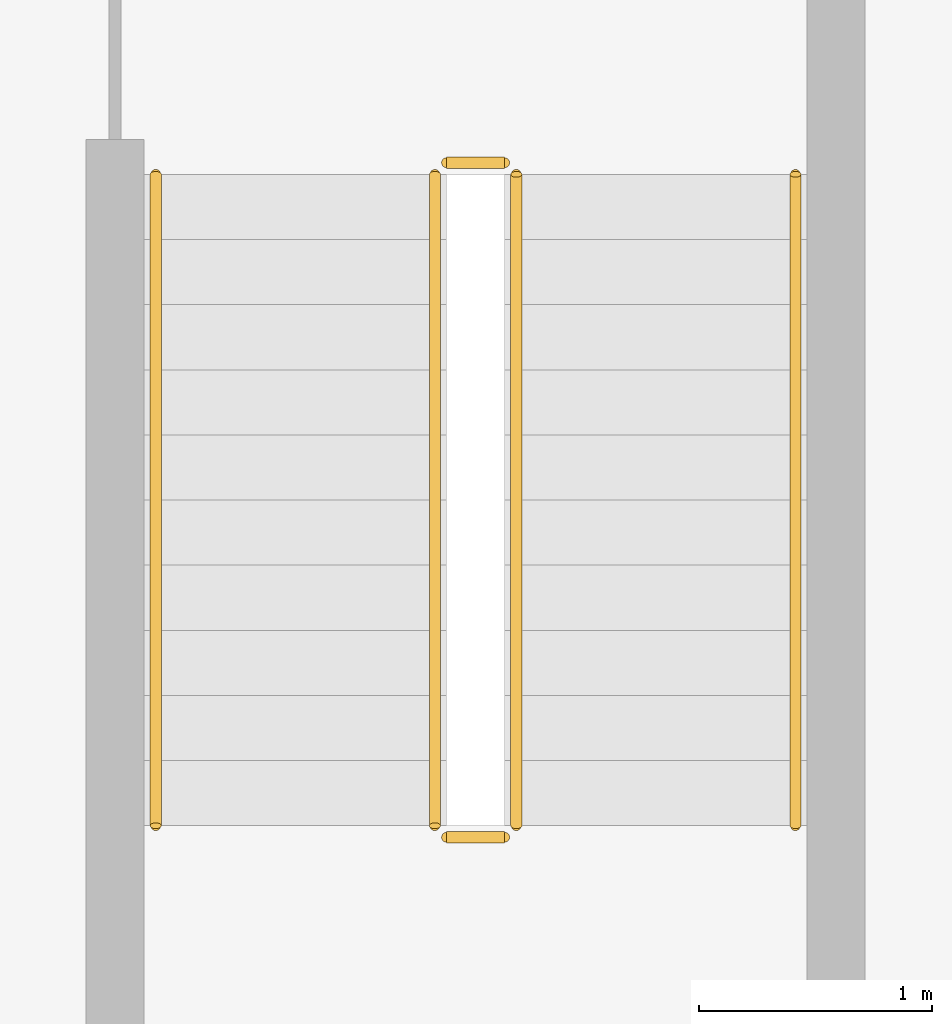
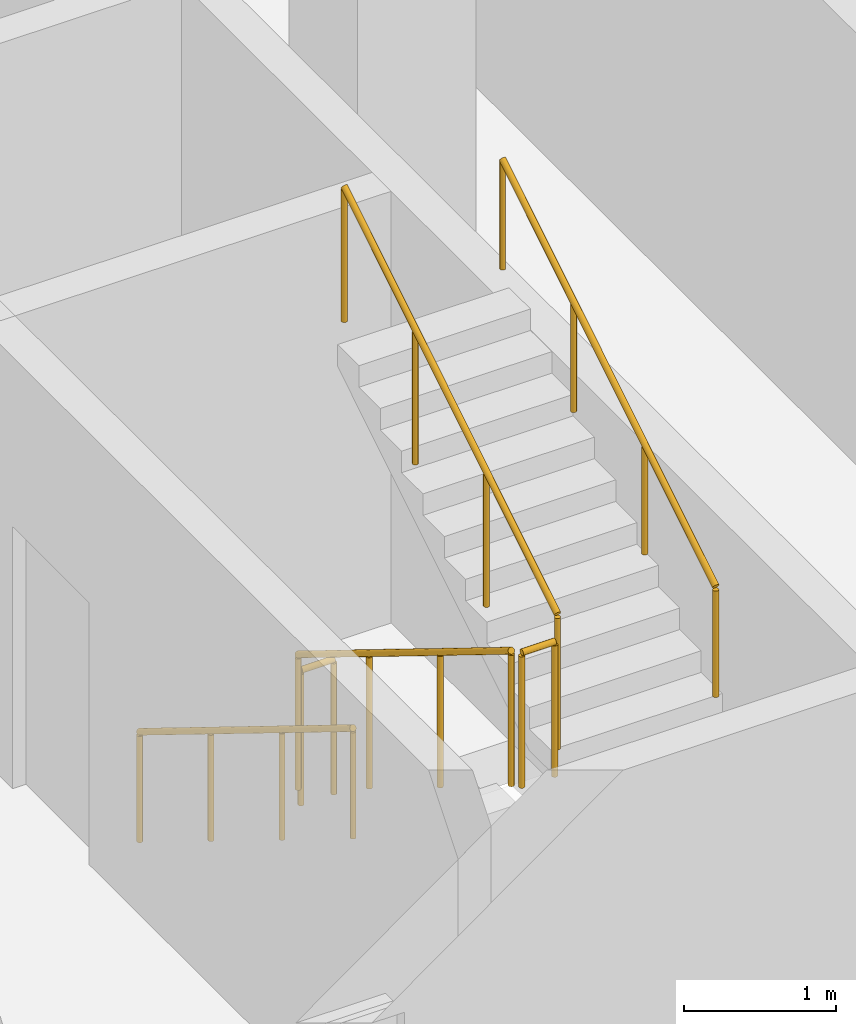
# One storey, part 22 of 25: 6 railings.
"""IFC4 building model written with IfcOpenShell, lengths in metres."""

import ifcopenshell
import ifcopenshell.guid

model = None  # the IFC model being written
_history = None  # IfcOwnerHistory: only IFC2X3 demands one
_inside = {}  # id of a spatial element -> (the spatial element, [elements in it])
_under = {}  # id of a project, library or spatial element -> (it, [spatial elements below it])
_declared = {}  # id of a project -> (the project, [libraries it declares])
_typed = {}  # id of a type object -> (the type object, [elements of that type])
_made_of = {}  # id of a material, layer set ... -> (it, [elements and type objects made of it])


def new_model(schema):
    """Start an empty IFC model of exactly this schema.

    Asked for "IFC4X3", IfcOpenShell would pick the latest addendum, in which some entities
    have other attributes; the version numbers below select the first issue.
    IFC2X3 requires an IfcOwnerHistory on every rooted entity: one is made here for all.
    """
    global model, _history
    if schema == "IFC4X3":
        model = ifcopenshell.file(schema_version=(4, 3, 0, 0))
    else:
        model = ifcopenshell.file(schema=schema)
    _inside.clear()
    _under.clear()
    _declared.clear()
    _typed.clear()
    _made_of.clear()
    _history = None
    if model.schema == "IFC2X3":
        org = make("IfcOrganization", Name="unknown")
        user = make(
            "IfcPersonAndOrganization",
            ThePerson=make("IfcPerson", FamilyName="unknown"),
            TheOrganization=org,
        )
        app = make(
            "IfcApplication",
            ApplicationDeveloper=org,
            Version="unknown",
            ApplicationFullName="unknown",
            ApplicationIdentifier="unknown",
        )
        _history = make(
            "IfcOwnerHistory",
            OwningUser=user,
            OwningApplication=app,
            ChangeAction="ADDED",
            CreationDate=0,
        )
    return model


def make(cls, **values):
    """One entity of the class cls with the attributes given. An attribute that is None is left unset."""
    return model.create_entity(
        cls, **{name: value for name, value in values.items() if value is not None}
    )


def rooted(cls, **values):
    """An entity with a GlobalId (a new one), such as an element, a storey or a relation."""
    return make(cls, GlobalId=ifcopenshell.guid.new(), OwnerHistory=_history, **values)


def si_unit(unit_type, name, prefix=None):
    """IfcSIUnit, for example si_unit("LENGTHUNIT", "METRE", prefix="MILLI")."""
    return make("IfcSIUnit", UnitType=unit_type, Prefix=prefix, Name=name)


def assignment(units):
    """IfcUnitAssignment: the units of a project."""
    return None if units is None else make("IfcUnitAssignment", Units=units)


def point(xyz):
    """IfcCartesianPoint."""
    return None if xyz is None else make("IfcCartesianPoint", Coordinates=xyz)


def direction(xyz):
    """IfcDirection."""
    return None if xyz is None else make("IfcDirection", DirectionRatios=xyz)


def frame(location, z_axis=None, x_axis=None):
    """IfcAxis2Placement3D, a coordinate frame: its origin and axes. An axis left out is left unset."""
    return make(
        "IfcAxis2Placement3D",
        Location=point(location),
        Axis=direction(z_axis),
        RefDirection=direction(x_axis),
    )


def frame_2d(location, x_axis=None):
    """IfcAxis2Placement2D, a coordinate frame in the plane: its origin and x axis."""
    return make(
        "IfcAxis2Placement2D", Location=point(location), RefDirection=direction(x_axis)
    )


def origin():
    """The frame at (0, 0, 0) with its axes left unset."""
    return frame((0.0, 0.0, 0.0))


def origin_2d():
    """The frame at (0, 0) in the plane with its x axis left unset."""
    return frame_2d((0.0, 0.0))


def place(relative_to, where):
    """IfcLocalPlacement: puts the frame where relative to a parent placement (None: the world)."""
    return make(
        "IfcLocalPlacement", PlacementRelTo=relative_to, RelativePlacement=where
    )


def context(
    kind, dimensions, precision=None, world=None, true_north=None, identifier=None
):
    """IfcGeometricRepresentationContext, for example the 3D "Model" context."""
    return make(
        "IfcGeometricRepresentationContext",
        ContextIdentifier=identifier,
        ContextType=kind,
        CoordinateSpaceDimension=dimensions,
        Precision=precision,
        WorldCoordinateSystem=world,
        TrueNorth=true_north,
    )


def subcontext(parent, identifier, kind, view, scale=None):
    """IfcGeometricRepresentationSubContext, for example "Body" below "Model"."""
    return make(
        "IfcGeometricRepresentationSubContext",
        ContextIdentifier=identifier,
        ContextType=kind,
        ParentContext=parent,
        TargetScale=scale,
        TargetView=view,
    )


def project(units=None, contexts=None):
    """IfcProject with its units and contexts."""
    return rooted(
        "IfcProject",
        Name="project",
        RepresentationContexts=contexts,
        UnitsInContext=assignment(units),
    )


def spatial(cls, under=None, at=None, **own):
    """A site, building, storey or space (cls), placed at a placement, below another one or the project."""
    s = rooted(cls, ObjectPlacement=at, **own)
    if under is not None:
        _under.setdefault(under.id(), (under, []))[1].append(s)
    return s


def profile(cls, at=None, kind="AREA", **sizes):
    """A parametric profile (cls). Its sizes go by their IFC names, for example OverallWidth=200.0."""
    return make(cls, ProfileType=kind, Position=at, **sizes)


def circle(**sizes):
    """IfcCircleProfileDef."""
    return profile("IfcCircleProfileDef", **sizes)


def extrude(swept, where, along, depth):
    """IfcExtrudedAreaSolid: the profile swept, set in the frame where, extruded along a direction by depth."""
    return make(
        "IfcExtrudedAreaSolid",
        SweptArea=swept,
        Position=where,
        ExtrudedDirection=direction(along),
        Depth=depth,
    )


def shape(context_of_items, identifier, shape_type, items):
    """IfcShapeRepresentation: the items that make up one representation, for example the "Body"."""
    return make(
        "IfcShapeRepresentation",
        ContextOfItems=context_of_items,
        RepresentationIdentifier=identifier,
        RepresentationType=shape_type,
        Items=items,
    )


def material(Name=None, Category=None):
    """IfcMaterial."""
    return make("IfcMaterial", Name=Name, Category=Category)


def made_of(thing, what):
    """Note that an element or type object is made of a material, layer set ...; save() writes the relation."""
    if what is not None:
        _made_of.setdefault(what.id(), (what, []))[1].append(thing)
    return thing


def type_object(cls, material=None, **own):
    """A type object (cls), such as IfcWallType, which elements share."""
    return made_of(rooted(cls, **own), material)


def element(
    cls,
    number,
    at=None,
    inside=None,
    cuts=None,
    type_object=None,
    material=None,
    context=None,
    identifier="Body",
    shape_type=None,
    held_by="IfcProductDefinitionShape",
    body=None,
    shapes=None,
    **own,
):
    """One element of the class cls, such as IfcWall. Its Tag is "e" and its number.

    at: its placement. inside: the storey or other place that contains it. cuts: it is an
    opening in that element (IfcRelVoidsElement). A single representation is given by context,
    identifier, shape_type and body (its items); several are given by shapes. held_by: the class
    of the entity that holds the representations. save() writes the other relations.
    """
    e = rooted(cls, Tag="e%d" % number, ObjectPlacement=at, **own)
    if body is not None:
        shapes = [shape(context, identifier, shape_type, body)]
    if shapes is not None:
        e.Representation = make(held_by, Representations=shapes)
    if inside is not None:
        _inside.setdefault(inside.id(), (inside, []))[1].append(e)
    if cuts is not None:
        rooted(
            "IfcRelVoidsElement", RelatingBuildingElement=cuts, RelatedOpeningElement=e
        )
    if type_object is not None:
        _typed.setdefault(type_object.id(), (type_object, []))[1].append(e)
    return made_of(e, material)


def aggregate(whole, parts):
    """IfcRelAggregates: a whole, such as a stair, and the parts it consists of."""
    return rooted("IfcRelAggregates", RelatingObject=whole, RelatedObjects=parts)


def save(model, path):
    """Write the relations noted so far, then the file.

    IfcRelAggregates (storeys below a building ...), IfcRelContainedInSpatialStructure (elements
    in a storey), IfcRelDefinesByType, IfcRelAssociatesMaterial and IfcRelDeclares: one each for
    every whole, place, type object, material and project.
    """
    for whole, parts in _under.values():
        aggregate(whole, parts)
    for where, things in _inside.values():
        rooted(
            "IfcRelContainedInSpatialStructure",
            RelatedElements=things,
            RelatingStructure=where,
        )
    for kind, things in _typed.values():
        rooted("IfcRelDefinesByType", RelatedObjects=things, RelatingType=kind)
    for what, things in _made_of.values():
        rooted("IfcRelAssociatesMaterial", RelatedObjects=things, RelatingMaterial=what)
    for by, libraries in _declared.values():
        rooted("IfcRelDeclares", RelatingContext=by, RelatedDefinitions=libraries)
    model.write(path)


model = new_model("IFC4")

# Units and contexts
model_context = context("Model", 3, precision=1e-05, world=origin(), true_north=direction((0.0, 1.0)))
body_context = subcontext(model_context, "Body", "Model", "MODEL_VIEW")
ifc_project = project(units=[si_unit("LENGTHUNIT", "METRE"), si_unit("AREAUNIT", "SQUARE_METRE"), si_unit("VOLUMEUNIT", "CUBIC_METRE"), si_unit("PLANEANGLEUNIT", "RADIAN"), si_unit("MASSUNIT", "GRAM", prefix="KILO")], contexts=[model_context])

# Site, building, storey
site_placement = place(None, origin())
site = spatial("IfcSite", under=ifc_project, at=site_placement, CompositionType="ELEMENT")
building_placement = place(site_placement, origin())
building = spatial("IfcBuilding", under=site, at=building_placement, Name="Mahtab Terrace Research Tower", CompositionType="ELEMENT")
storey_placement = place(building_placement, frame((0.0, 0.0, 278.5)))
storey = spatial("IfcBuildingStorey", under=building, at=storey_placement, Name="L68", CompositionType="ELEMENT", Elevation=278.5)

# Railings
ifc_material = material(Name="Stainless steel AISI 304", Category="steel")
railing_type_1 = type_object("IfcRailingType", Name="Stair guard 1100", PredefinedType="GUARDRAIL", material=ifc_material)
railing_1_placement = place(storey_placement, frame((2.949951171875, -4.175048828125, 0.172607421875)))
element("IfcRailing", 1, at=railing_1_placement, inside=storey, type_object=railing_type_1, Name="L68 ST2 stair guard 1", PredefinedType="GUARDRAIL", context=body_context, shape_type="SweptSolid", body=[
    extrude(circle(Radius=0.02392578125, at=origin_2d()), frame((0.0, 0.0, 1.076171875), z_axis=(0.0, -0.851089632645, 0.525020415988), x_axis=(1.0, 0.0, 0.0)), (0.0, 0.0, 1.0), 3.2900390625),
    extrude(circle(Radius=0.02099609375, at=origin_2d()), origin(), (0.0, 0.0, 1.0), 1.052001953125),
    extrude(circle(Radius=0.02099609375, at=origin_2d()), frame((0.0, -0.933349609375, 0.57568359375)), (0.0, 0.0, 1.0), 1.052001953125),
    extrude(circle(Radius=0.02099609375, at=origin_2d()), frame((0.0, -1.86669921875, 1.151611328125)), (0.0, 0.0, 1.0), 1.052001953125),
    extrude(circle(Radius=0.02099609375, at=origin_2d()), frame((0.0, -2.800048828125, 1.727294921875)), (0.0, 0.0, 1.0), 1.052001953125),
])
railing_2_placement = place(storey_placement, frame((3.0, -7.02490234375, 1.89990234375)))
element("IfcRailing", 2, at=railing_2_placement, inside=storey, type_object=railing_type_1, Name="L68 ST2 stair guard 2", PredefinedType="GUARDRAIL", context=body_context, shape_type="SweptSolid", body=[
    extrude(circle(Radius=0.02392578125, at=origin_2d()), frame((0.0, 0.0, 1.076171875), z_axis=(1.0, 0.0, 0.0), x_axis=(0.0, 1.0, 0.0)), (0.0, 0.0, 1.0), 0.25),
    extrude(circle(Radius=0.02099609375, at=origin_2d()), origin(), (0.0, 0.0, 1.0), 1.052001953125),
    extrude(circle(Radius=0.02099609375, at=origin_2d()), frame((0.25, 0.0, 0.0)), (0.0, 0.0, 1.0), 1.052001953125),
])
railing_3_placement = place(storey_placement, frame((3.300048828125, -6.97509765625, 2.07275390625)))
element("IfcRailing", 3, at=railing_3_placement, inside=storey, type_object=railing_type_1, Name="L68 ST2 stair guard 3", PredefinedType="GUARDRAIL", context=body_context, shape_type="SweptSolid", body=[
    extrude(circle(Radius=0.02392578125, at=origin_2d()), frame((0.0, 0.0, 1.076171875), z_axis=(0.0, 0.851089632645, 0.525020415988), x_axis=(-1.0, 0.0, 0.0)), (0.0, 0.0, 1.0), 3.2900390625),
    extrude(circle(Radius=0.02099609375, at=origin_2d()), origin(), (0.0, 0.0, 1.0), 1.052001953125),
    extrude(circle(Radius=0.02099609375, at=origin_2d()), frame((0.0, 0.933349609375, 0.57568359375)), (0.0, 0.0, 1.0), 1.052001953125),
    extrude(circle(Radius=0.02099609375, at=origin_2d()), frame((0.0, 1.86669921875, 1.151611328125)), (0.0, 0.0, 1.0), 1.052001953125),
    extrude(circle(Radius=0.02099609375, at=origin_2d()), frame((0.0, 2.800048828125, 1.727294921875)), (0.0, 0.0, 1.0), 1.052001953125),
])
railing_4_placement = place(storey_placement, frame((3.0, -4.125, 0.0)))
element("IfcRailing", 4, at=railing_4_placement, inside=storey, type_object=railing_type_1, Name="L68 ST2 stair guard 4", PredefinedType="GUARDRAIL", context=body_context, shape_type="SweptSolid", body=[
    extrude(circle(Radius=0.02392578125, at=origin_2d()), frame((0.0, 0.0, 1.076171875), z_axis=(1.0, 0.0, 0.0), x_axis=(0.0, 1.0, 0.0)), (0.0, 0.0, 1.0), 0.25),
    extrude(circle(Radius=0.02099609375, at=origin_2d()), origin(), (0.0, 0.0, 1.0), 1.052001953125),
    extrude(circle(Radius=0.02099609375, at=origin_2d()), frame((0.25, 0.0, 0.0)), (0.0, 0.0, 1.0), 1.052001953125),
])
railing_type_2 = type_object("IfcRailingType", Name="Stair handrail 900", PredefinedType="HANDRAIL", material=ifc_material)
railing_5_placement = place(storey_placement, frame((1.75, -4.175048828125, 0.172607421875)))
element("IfcRailing", 5, at=railing_5_placement, inside=storey, type_object=railing_type_2, Name="L68 ST2 stair handrail 1", PredefinedType="HANDRAIL", context=body_context, shape_type="SweptSolid", body=[
    extrude(circle(Radius=0.02392578125, at=origin_2d()), frame((0.0, 0.0, 0.8759765625), z_axis=(0.0, -0.851089632645, 0.525020415988), x_axis=(1.0, 0.0, 0.0)), (0.0, 0.0, 1.0), 3.2900390625),
    extrude(circle(Radius=0.02099609375, at=origin_2d()), origin(), (0.0, 0.0, 1.0), 0.851806640625),
    extrude(circle(Radius=0.02099609375, at=origin_2d()), frame((0.0, -0.933349609375, 0.57568359375)), (0.0, 0.0, 1.0), 0.851806640625),
    extrude(circle(Radius=0.02099609375, at=origin_2d()), frame((0.0, -1.86669921875, 1.151611328125)), (0.0, 0.0, 1.0), 0.851806640625),
    extrude(circle(Radius=0.02099609375, at=origin_2d()), frame((0.0, -2.800048828125, 1.727294921875)), (0.0, 0.0, 1.0), 0.851806640625),
])
railing_6_placement = place(storey_placement, frame((4.5, -6.97509765625, 2.07275390625)))
element("IfcRailing", 6, at=railing_6_placement, inside=storey, type_object=railing_type_2, Name="L68 ST2 stair handrail 2", PredefinedType="HANDRAIL", context=body_context, shape_type="SweptSolid", body=[
    extrude(circle(Radius=0.02392578125, at=origin_2d()), frame((0.0, 0.0, 0.8759765625), z_axis=(0.0, 0.851089632645, 0.525020415988), x_axis=(-1.0, 0.0, 0.0)), (0.0, 0.0, 1.0), 3.2900390625),
    extrude(circle(Radius=0.02099609375, at=origin_2d()), origin(), (0.0, 0.0, 1.0), 0.851806640625),
    extrude(circle(Radius=0.02099609375, at=origin_2d()), frame((0.0, 0.933349609375, 0.57568359375)), (0.0, 0.0, 1.0), 0.851806640625),
    extrude(circle(Radius=0.02099609375, at=origin_2d()), frame((0.0, 1.86669921875, 1.151611328125)), (0.0, 0.0, 1.0), 0.851806640625),
    extrude(circle(Radius=0.02099609375, at=origin_2d()), frame((0.0, 2.800048828125, 1.727294921875)), (0.0, 0.0, 1.0), 0.851806640625),
])

save(model, "model.ifc")
